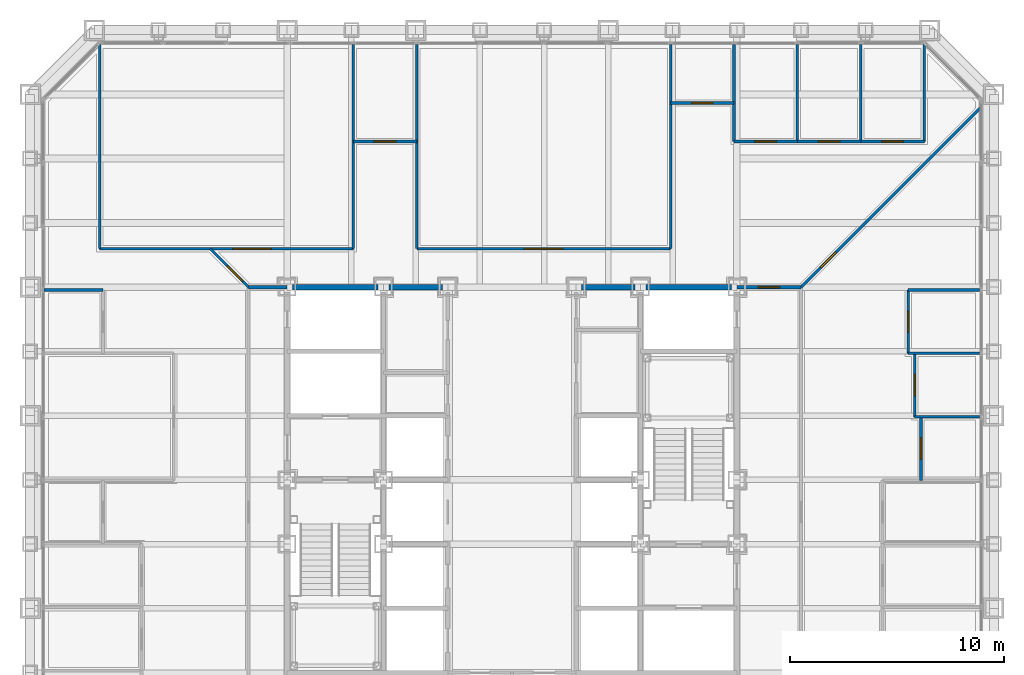
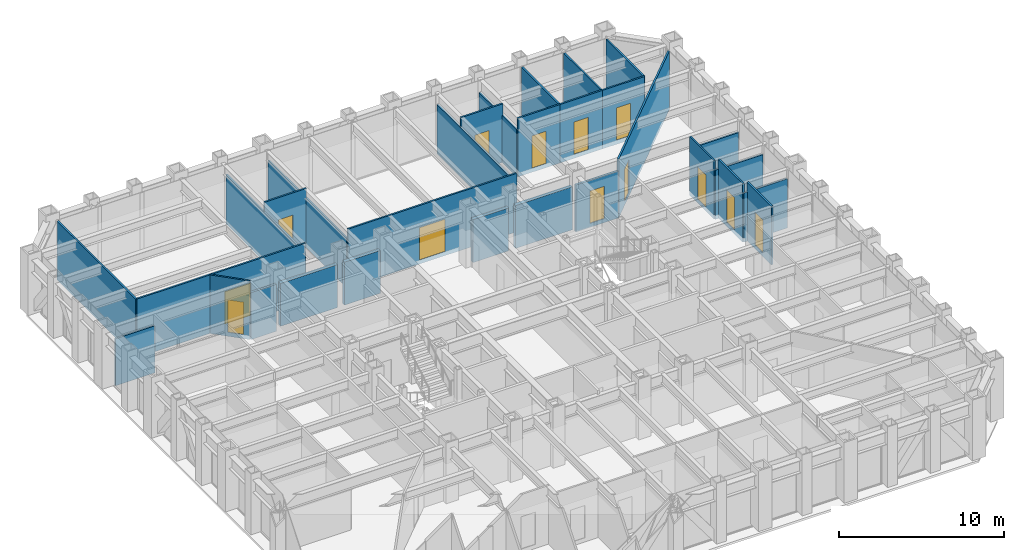
# One storey, part 11 of 16: 30 walls, 13 doors, 13 openings.
"""IFC4 building model written with IfcOpenShell, lengths in metres."""

import ifcopenshell
import ifcopenshell.guid

model = None  # the IFC model being written
_history = None  # IfcOwnerHistory: only IFC2X3 demands one
_inside = {}  # id of a spatial element -> (the spatial element, [elements in it])
_under = {}  # id of a project, library or spatial element -> (it, [spatial elements below it])
_declared = {}  # id of a project -> (the project, [libraries it declares])
_typed = {}  # id of a type object -> (the type object, [elements of that type])
_made_of = {}  # id of a material, layer set ... -> (it, [elements and type objects made of it])


def new_model(schema):
    """Start an empty IFC model of exactly this schema.

    Asked for "IFC4X3", IfcOpenShell would pick the latest addendum, in which some entities
    have other attributes; the version numbers below select the first issue.
    IFC2X3 requires an IfcOwnerHistory on every rooted entity: one is made here for all.
    """
    global model, _history
    if schema == "IFC4X3":
        model = ifcopenshell.file(schema_version=(4, 3, 0, 0))
    else:
        model = ifcopenshell.file(schema=schema)
    _inside.clear()
    _under.clear()
    _declared.clear()
    _typed.clear()
    _made_of.clear()
    _history = None
    if model.schema == "IFC2X3":
        org = make("IfcOrganization", Name="unknown")
        user = make(
            "IfcPersonAndOrganization",
            ThePerson=make("IfcPerson", FamilyName="unknown"),
            TheOrganization=org,
        )
        app = make(
            "IfcApplication",
            ApplicationDeveloper=org,
            Version="unknown",
            ApplicationFullName="unknown",
            ApplicationIdentifier="unknown",
        )
        _history = make(
            "IfcOwnerHistory",
            OwningUser=user,
            OwningApplication=app,
            ChangeAction="ADDED",
            CreationDate=0,
        )
    return model


def make(cls, **values):
    """One entity of the class cls with the attributes given. An attribute that is None is left unset."""
    return model.create_entity(
        cls, **{name: value for name, value in values.items() if value is not None}
    )


def rooted(cls, **values):
    """An entity with a GlobalId (a new one), such as an element, a storey or a relation."""
    return make(cls, GlobalId=ifcopenshell.guid.new(), OwnerHistory=_history, **values)


def si_unit(unit_type, name, prefix=None):
    """IfcSIUnit, for example si_unit("LENGTHUNIT", "METRE", prefix="MILLI")."""
    return make("IfcSIUnit", UnitType=unit_type, Prefix=prefix, Name=name)


def assignment(units):
    """IfcUnitAssignment: the units of a project."""
    return None if units is None else make("IfcUnitAssignment", Units=units)


def point(xyz):
    """IfcCartesianPoint."""
    return None if xyz is None else make("IfcCartesianPoint", Coordinates=xyz)


def direction(xyz):
    """IfcDirection."""
    return None if xyz is None else make("IfcDirection", DirectionRatios=xyz)


def frame(location, z_axis=None, x_axis=None):
    """IfcAxis2Placement3D, a coordinate frame: its origin and axes. An axis left out is left unset."""
    return make(
        "IfcAxis2Placement3D",
        Location=point(location),
        Axis=direction(z_axis),
        RefDirection=direction(x_axis),
    )


def frame_2d(location, x_axis=None):
    """IfcAxis2Placement2D, a coordinate frame in the plane: its origin and x axis."""
    return make(
        "IfcAxis2Placement2D", Location=point(location), RefDirection=direction(x_axis)
    )


def origin():
    """The frame at (0, 0, 0) with its axes left unset."""
    return frame((0.0, 0.0, 0.0))


def place(relative_to, where):
    """IfcLocalPlacement: puts the frame where relative to a parent placement (None: the world)."""
    return make(
        "IfcLocalPlacement", PlacementRelTo=relative_to, RelativePlacement=where
    )


def context(
    kind, dimensions, precision=None, world=None, true_north=None, identifier=None
):
    """IfcGeometricRepresentationContext, for example the 3D "Model" context."""
    return make(
        "IfcGeometricRepresentationContext",
        ContextIdentifier=identifier,
        ContextType=kind,
        CoordinateSpaceDimension=dimensions,
        Precision=precision,
        WorldCoordinateSystem=world,
        TrueNorth=true_north,
    )


def subcontext(parent, identifier, kind, view, scale=None):
    """IfcGeometricRepresentationSubContext, for example "Body" below "Model"."""
    return make(
        "IfcGeometricRepresentationSubContext",
        ContextIdentifier=identifier,
        ContextType=kind,
        ParentContext=parent,
        TargetScale=scale,
        TargetView=view,
    )


def project(units=None, contexts=None):
    """IfcProject with its units and contexts."""
    return rooted(
        "IfcProject",
        Name="project",
        RepresentationContexts=contexts,
        UnitsInContext=assignment(units),
    )


def spatial(cls, under=None, at=None, **own):
    """A site, building, storey or space (cls), placed at a placement, below another one or the project."""
    s = rooted(cls, ObjectPlacement=at, **own)
    if under is not None:
        _under.setdefault(under.id(), (under, []))[1].append(s)
    return s


def profile(cls, at=None, kind="AREA", **sizes):
    """A parametric profile (cls). Its sizes go by their IFC names, for example OverallWidth=200.0."""
    return make(cls, ProfileType=kind, Position=at, **sizes)


def rectangle(**sizes):
    """IfcRectangleProfileDef."""
    return profile("IfcRectangleProfileDef", **sizes)


def extrude(swept, where, along, depth):
    """IfcExtrudedAreaSolid: the profile swept, set in the frame where, extruded along a direction by depth."""
    return make(
        "IfcExtrudedAreaSolid",
        SweptArea=swept,
        Position=where,
        ExtrudedDirection=direction(along),
        Depth=depth,
    )


def shape(context_of_items, identifier, shape_type, items):
    """IfcShapeRepresentation: the items that make up one representation, for example the "Body"."""
    return make(
        "IfcShapeRepresentation",
        ContextOfItems=context_of_items,
        RepresentationIdentifier=identifier,
        RepresentationType=shape_type,
        Items=items,
    )


def material(Name=None, Category=None):
    """IfcMaterial."""
    return make("IfcMaterial", Name=Name, Category=Category)


def layer(
    of_material, thickness, ventilated=None, Name=None, Category=None, Priority=None
):
    """IfcMaterialLayer: one layer of a wall or slab, of a material (None: an air gap)."""
    return make(
        "IfcMaterialLayer",
        Material=of_material,
        LayerThickness=thickness,
        IsVentilated=ventilated,
        Name=Name,
        Category=Category,
        Priority=Priority,
    )


def layer_set(layers, Name=None):
    """IfcMaterialLayerSet."""
    return make("IfcMaterialLayerSet", MaterialLayers=layers, LayerSetName=Name)


def made_of(thing, what):
    """Note that an element or type object is made of a material, layer set ...; save() writes the relation."""
    if what is not None:
        _made_of.setdefault(what.id(), (what, []))[1].append(thing)
    return thing


def type_object(cls, material=None, **own):
    """A type object (cls), such as IfcWallType, which elements share."""
    return made_of(rooted(cls, **own), material)


def element(
    cls,
    number,
    at=None,
    inside=None,
    cuts=None,
    type_object=None,
    material=None,
    context=None,
    identifier="Body",
    shape_type=None,
    held_by="IfcProductDefinitionShape",
    body=None,
    shapes=None,
    **own,
):
    """One element of the class cls, such as IfcWall. Its Tag is "e" and its number.

    at: its placement. inside: the storey or other place that contains it. cuts: it is an
    opening in that element (IfcRelVoidsElement). A single representation is given by context,
    identifier, shape_type and body (its items); several are given by shapes. held_by: the class
    of the entity that holds the representations. save() writes the other relations.
    """
    e = rooted(cls, Tag="e%d" % number, ObjectPlacement=at, **own)
    if body is not None:
        shapes = [shape(context, identifier, shape_type, body)]
    if shapes is not None:
        e.Representation = make(held_by, Representations=shapes)
    if inside is not None:
        _inside.setdefault(inside.id(), (inside, []))[1].append(e)
    if cuts is not None:
        rooted(
            "IfcRelVoidsElement", RelatingBuildingElement=cuts, RelatedOpeningElement=e
        )
    if type_object is not None:
        _typed.setdefault(type_object.id(), (type_object, []))[1].append(e)
    return made_of(e, material)


def fill(opening, filler):
    """IfcRelFillsElement: the door or window that sits in an opening."""
    return rooted(
        "IfcRelFillsElement",
        RelatingOpeningElement=opening,
        RelatedBuildingElement=filler,
    )


def aggregate(whole, parts):
    """IfcRelAggregates: a whole, such as a stair, and the parts it consists of."""
    return rooted("IfcRelAggregates", RelatingObject=whole, RelatedObjects=parts)


def save(model, path):
    """Write the relations noted so far, then the file.

    IfcRelAggregates (storeys below a building ...), IfcRelContainedInSpatialStructure (elements
    in a storey), IfcRelDefinesByType, IfcRelAssociatesMaterial and IfcRelDeclares: one each for
    every whole, place, type object, material and project.
    """
    for whole, parts in _under.values():
        aggregate(whole, parts)
    for where, things in _inside.values():
        rooted(
            "IfcRelContainedInSpatialStructure",
            RelatedElements=things,
            RelatingStructure=where,
        )
    for kind, things in _typed.values():
        rooted("IfcRelDefinesByType", RelatedObjects=things, RelatingType=kind)
    for what, things in _made_of.values():
        rooted("IfcRelAssociatesMaterial", RelatedObjects=things, RelatingMaterial=what)
    for by, libraries in _declared.values():
        rooted("IfcRelDeclares", RelatingContext=by, RelatedDefinitions=libraries)
    model.write(path)


model = new_model("IFC4")

# Units and contexts
model_context = context("Model", 3, precision=1e-05, world=origin(), true_north=direction((0.0, 1.0)))
body_context = subcontext(model_context, "Body", "Model", "MODEL_VIEW")
ifc_project = project(units=[si_unit("LENGTHUNIT", "METRE"), si_unit("AREAUNIT", "SQUARE_METRE"), si_unit("VOLUMEUNIT", "CUBIC_METRE"), si_unit("PLANEANGLEUNIT", "RADIAN"), si_unit("MASSUNIT", "GRAM", prefix="KILO")], contexts=[model_context])

# Site, building, storey
site_placement = place(None, origin())
site = spatial("IfcSite", under=ifc_project, at=site_placement, CompositionType="ELEMENT")
building_placement = place(site_placement, origin())
building = spatial("IfcBuilding", under=site, at=building_placement, Name="Chuquiago Exchange Tower", CompositionType="ELEMENT")
storey_placement = place(building_placement, frame((0.0, 0.0, 33.300048828125)))
storey = spatial("IfcBuildingStorey", under=building, at=storey_placement, Name="L06", CompositionType="ELEMENT", Elevation=33.300048828125)

# Walls
ifc_material_1 = material(Name="Concrete masonry, fully grouted", Category="masonry")
ifc_layer_1 = layer(ifc_material_1, 0.25)
ifc_layer_set_1 = layer_set([ifc_layer_1], Name="W1 core wall 250")
wall_type_1 = type_object("IfcWallType", Name="W1 core wall 250", PredefinedType="SOLIDWALL", material=ifc_layer_set_1)
wall_1_placement = place(storey_placement, frame((12.25, 33.0, 0.0), z_axis=(0.0, 0.0, 1.0), x_axis=(1.0, 0.0, 0.0)))
element("IfcWall", 1, at=wall_1_placement, inside=storey, type_object=wall_type_1, Name="CW-L06-11-0", PredefinedType="SOLIDWALL", context=body_context, shape_type="SweptSolid", body=[
    extrude(rectangle(XDim=4.0, YDim=0.25, at=frame_2d((2.0, 0.0))), origin(), (0.0, 0.0, 1.0), 3.181396484375),
])
for number, where, z_axis, x_axis, name in (
    (2, (16.75, 33.0, 0.0), (0.0, 0.0, 1.0), (1.0, 0.0, 0.0), "CW-L06-11-1"),
    (3, (25.75, 33.0, 0.0), (0.0, 0.0, 1.0), (1.0, 0.0, 0.0), "CW-L06-12-0"),
):
    element("IfcWall", number, at=place(storey_placement, frame(where, z_axis=z_axis, x_axis=x_axis)), inside=storey, type_object=wall_type_1, Name=name, PredefinedType="SOLIDWALL", context=body_context, shape_type="SweptSolid", body=[
        extrude(rectangle(XDim=2.5, YDim=0.25, at=frame_2d((1.25, 0.0))), origin(), (0.0, 0.0, 1.0), 3.181396484375),
    ])
wall_2_placement = place(storey_placement, frame((28.75, 33.0, 0.0), z_axis=(0.0, 0.0, 1.0), x_axis=(1.0, 0.0, 0.0)))
element("IfcWall", 4, at=wall_2_placement, inside=storey, type_object=wall_type_1, Name="CW-L06-12-1", PredefinedType="SOLIDWALL", context=body_context, shape_type="SweptSolid", body=[
    extrude(rectangle(XDim=4.0, YDim=0.25, at=frame_2d((2.0, 0.0))), origin(), (0.0, 0.0, 1.0), 3.181396484375),
])
ifc_material_2 = material(Name="Gypsum board on steel studs, acoustic insulation", Category="steel")
ifc_layer_2 = layer(ifc_material_2, 0.14990234375)
ifc_layer_set_2 = layer_set([ifc_layer_2], Name="W11 corridor wall 150")
wall_type_2 = type_object("IfcWallType", Name="W11 corridor wall 150", PredefinedType="PARTITIONING", material=ifc_layer_set_2)
wall_3_placement = place(storey_placement, frame((10.199951171875, 33.0, -0.300048828125), z_axis=(0.0, 0.0, 1.0), x_axis=(1.0, 0.0, 0.0)))
element("IfcWall", 5, at=wall_3_placement, inside=storey, type_object=wall_type_2, Name="PW-L06-GWN0", PredefinedType="PARTITIONING", context=body_context, shape_type="SweptSolid", body=[
    extrude(rectangle(XDim=1.800048828125, YDim=0.14990234375, at=frame_2d((0.89990234375, 0.0))), origin(), (0.0, 0.0, 1.0), 3.4814453125),
])

# Wall, opening, door
wall_4_placement = place(storey_placement, frame((33.0, 33.0, -0.300048828125), z_axis=(0.0, 0.0, 1.0), x_axis=(1.0, 0.0, 0.0)))
wall_4 = element("IfcWall", 6, at=wall_4_placement, inside=storey, type_object=wall_type_2, Name="PW-L06-GEN0", PredefinedType="PARTITIONING", context=body_context, shape_type="SweptSolid", body=[
    extrude(rectangle(XDim=3.0, YDim=0.14990234375, at=frame_2d((1.5, 0.0))), origin(), (0.0, 0.0, 1.0), 3.4814453125),
])
opening_1_placement = place(wall_4_placement, frame((1.0, 0.0, 0.300048828125)))
opening_1 = element("IfcOpeningElement", 7, at=opening_1_placement, cuts=wall_4, Name="Opening L06-054", PredefinedType="OPENING", context=body_context, shape_type="SweptSolid", body=[
    extrude(rectangle(XDim=1.0, YDim=2.39990234375, at=frame_2d((0.5, 1.199951171875))), frame((0.0, 0.0849609375, 0.0), z_axis=(0.0, -1.0, 0.0), x_axis=(1.0, 0.0, 0.0)), (0.0, 0.0, 1.0), 0.169921875),
])
ifc_material_3 = material(Name="Timber door, laminate faced", Category="wood")
door_type_1 = type_object("IfcDoorType", Name="D9 room door 1000x2400", OperationType="SINGLE_SWING_LEFT", PredefinedType="DOOR", material=ifc_material_3)
door_1_placement = place(opening_1_placement, origin())
door_1 = element("IfcDoor", 8, at=door_1_placement, inside=storey, type_object=door_type_1, Name="Team area door", OperationType="SINGLE_SWING_LEFT", OverallHeight=2.39990234375, OverallWidth=1.0, PredefinedType="DOOR", context=body_context, shape_type="SweptSolid", body=[
    extrude(rectangle(XDim=1.0, YDim=2.39990234375, at=frame_2d((0.5, 1.199951171875))), frame((0.0, 0.02490234375, 0.0), z_axis=(0.0, -1.0, 0.0), x_axis=(1.0, 0.0, 0.0)), (0.0, 0.0, 1.0), 0.050048828125),
])
fill(opening_1, door_1)

# Walls
ifc_material_4 = material(Name="Gypsum board on steel studs", Category="steel")
ifc_layer_3 = layer(ifc_material_4, 0.1201171875)
ifc_layer_set_3 = layer_set([ifc_layer_3], Name="W4 partition 120")
wall_type_3 = type_object("IfcWallType", Name="W4 partition 120", PredefinedType="PARTITIONING", material=ifc_layer_set_3)
wall_5_placement = place(storey_placement, frame((44.342529296875, 26.942626953125, -0.300048828125), z_axis=(0.0, 0.0, 1.0), x_axis=(-1.0, 0.0, 0.0)))
element("IfcWall", 9, at=wall_5_placement, inside=storey, type_object=wall_type_3, Name="PW-L06-E02694", PredefinedType="PARTITIONING", context=body_context, shape_type="SweptSolid", body=[
    extrude(rectangle(XDim=3.04248046875, YDim=0.1201171875, at=frame_2d((1.521240234375, 0.0))), origin(), (0.0, 0.0, 1.0), 3.646484375),
])
wall_6_placement = place(storey_placement, frame((44.342529296875, 29.904296875, -0.300048828125), z_axis=(0.0, 0.0, 1.0), x_axis=(-1.0, 0.0, 0.0)))
element("IfcWall", 10, at=wall_6_placement, inside=storey, type_object=wall_type_3, Name="PW-L06-E02990", PredefinedType="PARTITIONING", context=body_context, shape_type="SweptSolid", body=[
    extrude(rectangle(XDim=3.342529296875, YDim=0.1201171875, at=frame_2d((1.67138671875, 0.0))), origin(), (0.0, 0.0, 1.0), 3.646484375),
])
wall_7_placement = place(storey_placement, frame((44.342529296875, 32.8662109375, -0.300048828125), z_axis=(0.0, 0.0, 1.0), x_axis=(-1.0, 0.0, 0.0)))
element("IfcWall", 11, at=wall_7_placement, inside=storey, type_object=wall_type_3, Name="PW-L06-E03287", PredefinedType="PARTITIONING", context=body_context, shape_type="SweptSolid", body=[
    extrude(rectangle(XDim=3.342529296875, YDim=0.1201171875, at=frame_2d((1.67138671875, 0.0))), origin(), (0.0, 0.0, 1.0), 3.4814453125),
])

# Wall, opening, door
wall_8_placement = place(storey_placement, frame((41.60009765625, 23.98095703125, -0.300048828125), z_axis=(0.0, 0.0, 1.0), x_axis=(0.0, 1.0, 0.0)))
wall_8 = element("IfcWall", 12, at=wall_8_placement, inside=storey, type_object=wall_type_3, Name="PW-L06-EF02398", PredefinedType="PARTITIONING", context=body_context, shape_type="SweptSolid", body=[
    extrude(rectangle(XDim=2.961669921875, YDim=0.1201171875, at=frame_2d((1.48095703125, 0.0))), origin(), (0.0, 0.0, 1.0), 4.340087890625),
])
opening_2_placement = place(wall_8_placement, frame((0.98095703125, 0.0, 0.300048828125)))
opening_2 = element("IfcOpeningElement", 13, at=opening_2_placement, cuts=wall_8, Name="Opening L06-036", PredefinedType="OPENING", context=body_context, shape_type="SweptSolid", body=[
    extrude(rectangle(XDim=1.0, YDim=2.39990234375, at=frame_2d((0.5, 1.199951171875))), frame((0.0, 0.070068359375, 0.0), z_axis=(0.0, -1.0, 0.0), x_axis=(1.0, 0.0, 0.0)), (0.0, 0.0, 1.0), 0.14013671875),
])
ifc_material_5 = material(Name="Timber frame door, full height glazed panel", Category="wood")
door_type_2 = type_object("IfcDoorType", Name="D14 glazed meeting room door 1000x2400", OperationType="SINGLE_SWING_LEFT", PredefinedType="DOOR", material=ifc_material_5)
door_2_placement = place(opening_2_placement, frame((1.0, 0.0, 0.0), z_axis=(0.0, 0.0, 1.0), x_axis=(-1.0, 0.0, 0.0)))
door_2 = element("IfcDoor", 14, at=door_2_placement, inside=storey, type_object=door_type_2, Name="Focus room door", OperationType="SINGLE_SWING_LEFT", OverallHeight=2.39990234375, OverallWidth=1.0, PredefinedType="DOOR", context=body_context, shape_type="SweptSolid", body=[
    extrude(rectangle(XDim=1.0, YDim=2.39990234375, at=frame_2d((0.5, 1.199951171875))), frame((0.0, 0.02490234375, 0.0), z_axis=(0.0, -1.0, 0.0), x_axis=(1.0, 0.0, 0.0)), (0.0, 0.0, 1.0), 0.050048828125),
])
fill(opening_2, door_2)

wall_9_placement = place(storey_placement, frame((41.300048828125, 26.942626953125, -0.300048828125), z_axis=(0.0, 0.0, 1.0), x_axis=(0.0, 1.0, 0.0)))
wall_9 = element("IfcWall", 15, at=wall_9_placement, inside=storey, type_object=wall_type_3, Name="PW-L06-EF02694", PredefinedType="PARTITIONING", context=body_context, shape_type="SweptSolid", body=[
    extrude(rectangle(XDim=2.961669921875, YDim=0.1201171875, at=frame_2d((1.48095703125, 0.0))), origin(), (0.0, 0.0, 1.0), 4.340087890625),
])
opening_3_placement = place(wall_9_placement, frame((0.98095703125, 0.0, 0.300048828125)))
opening_3 = element("IfcOpeningElement", 16, at=opening_3_placement, cuts=wall_9, Name="Opening L06-037", PredefinedType="OPENING", context=body_context, shape_type="SweptSolid", body=[
    extrude(rectangle(XDim=1.0, YDim=2.39990234375, at=frame_2d((0.5, 1.199951171875))), frame((0.0, 0.070068359375, 0.0), z_axis=(0.0, -1.0, 0.0), x_axis=(1.0, 0.0, 0.0)), (0.0, 0.0, 1.0), 0.14013671875),
])
door_3_placement = place(opening_3_placement, frame((1.0, 0.0, 0.0), z_axis=(0.0, 0.0, 1.0), x_axis=(-1.0, 0.0, 0.0)))
door_3 = element("IfcDoor", 17, at=door_3_placement, inside=storey, type_object=door_type_1, Name="Store door", OperationType="SINGLE_SWING_RIGHT", OverallHeight=2.39990234375, OverallWidth=1.0, PredefinedType="DOOR", context=body_context, shape_type="SweptSolid", body=[
    extrude(rectangle(XDim=1.0, YDim=2.39990234375, at=frame_2d((0.5, 1.199951171875))), frame((0.0, 0.02490234375, 0.0), z_axis=(0.0, -1.0, 0.0), x_axis=(1.0, 0.0, 0.0)), (0.0, 0.0, 1.0), 0.050048828125),
])
fill(opening_3, door_3)

wall_10_placement = place(storey_placement, frame((41.0, 29.904296875, -0.300048828125), z_axis=(0.0, 0.0, 1.0), x_axis=(0.0, 1.0, 0.0)))
wall_10 = element("IfcWall", 18, at=wall_10_placement, inside=storey, type_object=wall_type_3, Name="PW-L06-EF02990", PredefinedType="PARTITIONING", context=body_context, shape_type="SweptSolid", body=[
    extrude(rectangle(XDim=2.9619140625, YDim=0.1201171875, at=frame_2d((1.48095703125, 0.0))), origin(), (0.0, 0.0, 1.0), 4.340087890625),
])
opening_4_placement = place(wall_10_placement, frame((0.98095703125, 0.0, 0.300048828125)))
opening_4 = element("IfcOpeningElement", 19, at=opening_4_placement, cuts=wall_10, Name="Opening L06-038", PredefinedType="OPENING", context=body_context, shape_type="SweptSolid", body=[
    extrude(rectangle(XDim=1.0, YDim=2.39990234375, at=frame_2d((0.5, 1.199951171875))), frame((0.0, 0.070068359375, 0.0), z_axis=(0.0, -1.0, 0.0), x_axis=(1.0, 0.0, 0.0)), (0.0, 0.0, 1.0), 0.14013671875),
])
door_4_placement = place(opening_4_placement, frame((1.0, 0.0, 0.0), z_axis=(0.0, 0.0, 1.0), x_axis=(-1.0, 0.0, 0.0)))
door_4 = element("IfcDoor", 20, at=door_4_placement, inside=storey, type_object=door_type_1, Name="Pantry door", OperationType="SINGLE_SWING_RIGHT", OverallHeight=2.39990234375, OverallWidth=1.0, PredefinedType="DOOR", context=body_context, shape_type="SweptSolid", body=[
    extrude(rectangle(XDim=1.0, YDim=2.39990234375, at=frame_2d((0.5, 1.199951171875))), frame((0.0, 0.02490234375, 0.0), z_axis=(0.0, -1.0, 0.0), x_axis=(1.0, 0.0, 0.0)), (0.0, 0.0, 1.0), 0.050048828125),
])
fill(opening_4, door_4)

# Walls
wall_11_placement = place(storey_placement, frame((3.24853515625, 44.333984375, -0.300048828125), z_axis=(0.0, 0.0, 1.0), x_axis=(0.0, -1.0, 0.0)))
element("IfcWall", 21, at=wall_11_placement, inside=storey, type_object=wall_type_3, Name="PW-L06-N00325", PredefinedType="PARTITIONING", context=body_context, shape_type="SweptSolid", body=[
    extrude(rectangle(XDim=9.533935546875, YDim=0.1201171875, at=frame_2d((4.76708984375, 0.0))), origin(), (0.0, 0.0, 1.0), 4.340087890625),
])
for number, where, z_axis, x_axis, name in (
    (22, (15.095703125, 44.342529296875, -0.300048828125), (0.0, 0.0, 1.0), (0.0, -1.0, 0.0), "PW-L06-N01510"),
    (23, (18.057373046875, 44.342529296875, -0.300048828125), (0.0, 0.0, 1.0), (0.0, -1.0, 0.0), "PW-L06-N01806"),
    (24, (29.904296875, 44.342529296875, -0.300048828125), (0.0, 0.0, 1.0), (0.0, -1.0, 0.0), "PW-L06-N02990"),
):
    element("IfcWall", number, at=place(storey_placement, frame(where, z_axis=z_axis, x_axis=x_axis)), inside=storey, type_object=wall_type_3, Name=name, PredefinedType="PARTITIONING", context=body_context, shape_type="SweptSolid", body=[
        extrude(rectangle(XDim=9.54248046875, YDim=0.1201171875, at=frame_2d((4.771240234375, 0.0))), origin(), (0.0, 0.0, 1.0), 3.646484375),
    ])
wall_12_placement = place(storey_placement, frame((32.8662109375, 44.342529296875, -0.300048828125), z_axis=(0.0, 0.0, 1.0), x_axis=(0.0, -1.0, 0.0)))
element("IfcWall", 25, at=wall_12_placement, inside=storey, type_object=wall_type_3, Name="PW-L06-N03287", PredefinedType="PARTITIONING", context=body_context, shape_type="SweptSolid", body=[
    extrude(rectangle(XDim=4.54248046875, YDim=0.1201171875, at=frame_2d((2.271240234375, 0.0))), origin(), (0.0, 0.0, 1.0), 3.4814453125),
])
for number, where, z_axis, x_axis, name in (
    (26, (35.827880859375, 44.342529296875, -0.300048828125), (0.0, 0.0, 1.0), (0.0, -1.0, 0.0), "PW-L06-N03583"),
    (27, (38.789794921875, 44.342529296875, -0.300048828125), (0.0, 0.0, 1.0), (0.0, -1.0, 0.0), "PW-L06-N03879"),
):
    element("IfcWall", number, at=place(storey_placement, frame(where, z_axis=z_axis, x_axis=x_axis)), inside=storey, type_object=wall_type_3, Name=name, PredefinedType="PARTITIONING", context=body_context, shape_type="SweptSolid", body=[
        extrude(rectangle(XDim=4.54248046875, YDim=0.1201171875, at=frame_2d((2.271240234375, 0.0))), origin(), (0.0, 0.0, 1.0), 4.340087890625),
    ])
wall_13_placement = place(storey_placement, frame((41.75146484375, 44.333984375, -0.300048828125), z_axis=(0.0, 0.0, 1.0), x_axis=(0.0, -1.0, 0.0)))
element("IfcWall", 28, at=wall_13_placement, inside=storey, type_object=wall_type_3, Name="PW-L06-N04175", PredefinedType="PARTITIONING", context=body_context, shape_type="SweptSolid", body=[
    extrude(rectangle(XDim=4.533935546875, YDim=0.1201171875, at=frame_2d((2.26708984375, 0.0))), origin(), (0.0, 0.0, 1.0), 4.340087890625),
])

# Wall, opening, door
wall_14_placement = place(storey_placement, frame((3.24853515625, 34.800048828125, -0.300048828125), z_axis=(0.0, 0.0, 1.0), x_axis=(1.0, 0.0, 0.0)))
wall_14 = element("IfcWall", 29, at=wall_14_placement, inside=storey, type_object=wall_type_3, Name="PW-L06-NF00325", PredefinedType="PARTITIONING", context=body_context, shape_type="SweptSolid", body=[
    extrude(rectangle(XDim=11.84716796875, YDim=0.1201171875, at=frame_2d((5.923583984375, 0.0))), origin(), (0.0, 0.0, 1.0), 4.340087890625),
])
opening_5_placement = place(wall_14_placement, frame((6.208251953125, 0.0, 0.300048828125)))
opening_5 = element("IfcOpeningElement", 30, at=opening_5_placement, cuts=wall_14, Name="Opening L06-039", PredefinedType="OPENING", context=body_context, shape_type="SweptSolid", body=[
    extrude(rectangle(XDim=1.800048828125, YDim=2.39990234375, at=frame_2d((0.89990234375, 1.199951171875))), frame((0.0, 0.070068359375, 0.0), z_axis=(0.0, -1.0, 0.0), x_axis=(1.0, 0.0, 0.0)), (0.0, 0.0, 1.0), 0.14013671875),
])
ifc_material_6 = material(Name="Timber door pair, laminate faced", Category="wood")
door_type_3 = type_object("IfcDoorType", Name="D15 double room door 1800x2400", OperationType="DOUBLE_DOOR_DOUBLE_SWING", PredefinedType="DOOR", material=ifc_material_6)
door_5_placement = place(opening_5_placement, origin())
door_5 = element("IfcDoor", 31, at=door_5_placement, inside=storey, type_object=door_type_3, Name="Trading room door", OperationType="DOUBLE_DOOR_DOUBLE_SWING", OverallHeight=2.39990234375, OverallWidth=1.800048828125, PredefinedType="DOOR", context=body_context, shape_type="SweptSolid", body=[
    extrude(rectangle(XDim=1.800048828125, YDim=2.39990234375, at=frame_2d((0.89990234375, 1.199951171875))), frame((0.0, 0.02490234375, 0.0), z_axis=(0.0, -1.0, 0.0), x_axis=(1.0, 0.0, 0.0)), (0.0, 0.0, 1.0), 0.050048828125),
])
fill(opening_5, door_5)

wall_15_placement = place(storey_placement, frame((15.095703125, 39.800048828125, -0.300048828125), z_axis=(0.0, 0.0, 1.0), x_axis=(1.0, 0.0, 0.0)))
wall_15 = element("IfcWall", 32, at=wall_15_placement, inside=storey, type_object=wall_type_3, Name="PW-L06-NF01510", PredefinedType="PARTITIONING", context=body_context, shape_type="SweptSolid", body=[
    extrude(rectangle(XDim=2.961669921875, YDim=0.1201171875, at=frame_2d((1.48095703125, 0.0))), origin(), (0.0, 0.0, 1.0), 4.340087890625),
])
opening_6_placement = place(wall_15_placement, frame((0.98095703125, 0.0, 0.300048828125)))
opening_6 = element("IfcOpeningElement", 33, at=opening_6_placement, cuts=wall_15, Name="Opening L06-040", PredefinedType="OPENING", context=body_context, shape_type="SweptSolid", body=[
    extrude(rectangle(XDim=1.0, YDim=2.39990234375, at=frame_2d((0.5, 1.199951171875))), frame((0.0, 0.070068359375, 0.0), z_axis=(0.0, -1.0, 0.0), x_axis=(1.0, 0.0, 0.0)), (0.0, 0.0, 1.0), 0.14013671875),
])
door_6_placement = place(opening_6_placement, origin())
door_6 = element("IfcDoor", 34, at=door_6_placement, inside=storey, type_object=door_type_1, Name="Office door", OperationType="SINGLE_SWING_LEFT", OverallHeight=2.39990234375, OverallWidth=1.0, PredefinedType="DOOR", context=body_context, shape_type="SweptSolid", body=[
    extrude(rectangle(XDim=1.0, YDim=2.39990234375, at=frame_2d((0.5, 1.199951171875))), frame((0.0, 0.02490234375, 0.0), z_axis=(0.0, -1.0, 0.0), x_axis=(1.0, 0.0, 0.0)), (0.0, 0.0, 1.0), 0.050048828125),
])
fill(opening_6, door_6)

wall_16_placement = place(storey_placement, frame((18.057373046875, 34.800048828125, -0.300048828125), z_axis=(0.0, 0.0, 1.0), x_axis=(1.0, 0.0, 0.0)))
wall_16 = element("IfcWall", 35, at=wall_16_placement, inside=storey, type_object=wall_type_3, Name="PW-L06-NF01806", PredefinedType="PARTITIONING", context=body_context, shape_type="SweptSolid", body=[
    extrude(rectangle(XDim=11.846923828125, YDim=0.1201171875, at=frame_2d((5.92333984375, 0.0))), origin(), (0.0, 0.0, 1.0), 4.340087890625),
])
opening_7_placement = place(wall_16_placement, frame((5.0234375, 0.0, 0.300048828125)))
opening_7 = element("IfcOpeningElement", 36, at=opening_7_placement, cuts=wall_16, Name="Opening L06-041", PredefinedType="OPENING", context=body_context, shape_type="SweptSolid", body=[
    extrude(rectangle(XDim=1.800048828125, YDim=2.39990234375, at=frame_2d((0.89990234375, 1.199951171875))), frame((0.0, 0.070068359375, 0.0), z_axis=(0.0, -1.0, 0.0), x_axis=(1.0, 0.0, 0.0)), (0.0, 0.0, 1.0), 0.14013671875),
])
door_7_placement = place(opening_7_placement, origin())
door_7 = element("IfcDoor", 37, at=door_7_placement, inside=storey, type_object=door_type_3, Name="Trading room door", OperationType="DOUBLE_DOOR_DOUBLE_SWING", OverallHeight=2.39990234375, OverallWidth=1.800048828125, PredefinedType="DOOR", context=body_context, shape_type="SweptSolid", body=[
    extrude(rectangle(XDim=1.800048828125, YDim=2.39990234375, at=frame_2d((0.89990234375, 1.199951171875))), frame((0.0, 0.02490234375, 0.0), z_axis=(0.0, -1.0, 0.0), x_axis=(1.0, 0.0, 0.0)), (0.0, 0.0, 1.0), 0.050048828125),
])
fill(opening_7, door_7)

wall_17_placement = place(storey_placement, frame((29.904296875, 41.60009765625, -0.300048828125), z_axis=(0.0, 0.0, 1.0), x_axis=(1.0, 0.0, 0.0)))
wall_17 = element("IfcWall", 38, at=wall_17_placement, inside=storey, type_object=wall_type_3, Name="PW-L06-NF02990", PredefinedType="PARTITIONING", context=body_context, shape_type="SweptSolid", body=[
    extrude(rectangle(XDim=2.9619140625, YDim=0.1201171875, at=frame_2d((1.48095703125, 0.0))), origin(), (0.0, 0.0, 1.0), 4.340087890625),
])
opening_8_placement = place(wall_17_placement, frame((0.98095703125, 0.0, 0.300048828125)))
opening_8 = element("IfcOpeningElement", 39, at=opening_8_placement, cuts=wall_17, Name="Opening L06-042", PredefinedType="OPENING", context=body_context, shape_type="SweptSolid", body=[
    extrude(rectangle(XDim=1.0, YDim=2.39990234375, at=frame_2d((0.5, 1.199951171875))), frame((0.0, 0.070068359375, 0.0), z_axis=(0.0, -1.0, 0.0), x_axis=(1.0, 0.0, 0.0)), (0.0, 0.0, 1.0), 0.14013671875),
])
door_8_placement = place(opening_8_placement, origin())
door_8 = element("IfcDoor", 40, at=door_8_placement, inside=storey, type_object=door_type_2, Name="Focus room door", OperationType="SINGLE_SWING_LEFT", OverallHeight=2.39990234375, OverallWidth=1.0, PredefinedType="DOOR", context=body_context, shape_type="SweptSolid", body=[
    extrude(rectangle(XDim=1.0, YDim=2.39990234375, at=frame_2d((0.5, 1.199951171875))), frame((0.0, 0.02490234375, 0.0), z_axis=(0.0, -1.0, 0.0), x_axis=(1.0, 0.0, 0.0)), (0.0, 0.0, 1.0), 0.050048828125),
])
fill(opening_8, door_8)

wall_18_placement = place(storey_placement, frame((32.8662109375, 39.800048828125, -0.300048828125), z_axis=(0.0, 0.0, 1.0), x_axis=(1.0, 0.0, 0.0)))
wall_18 = element("IfcWall", 41, at=wall_18_placement, inside=storey, type_object=wall_type_3, Name="PW-L06-NF03287", PredefinedType="PARTITIONING", context=body_context, shape_type="SweptSolid", body=[
    extrude(rectangle(XDim=2.961669921875, YDim=0.1201171875, at=frame_2d((1.48095703125, 0.0))), origin(), (0.0, 0.0, 1.0), 4.340087890625),
])
opening_9_placement = place(wall_18_placement, frame((0.98095703125, 0.0, 0.300048828125)))
opening_9 = element("IfcOpeningElement", 42, at=opening_9_placement, cuts=wall_18, Name="Opening L06-043", PredefinedType="OPENING", context=body_context, shape_type="SweptSolid", body=[
    extrude(rectangle(XDim=1.0, YDim=2.39990234375, at=frame_2d((0.5, 1.199951171875))), frame((0.0, 0.070068359375, 0.0), z_axis=(0.0, -1.0, 0.0), x_axis=(1.0, 0.0, 0.0)), (0.0, 0.0, 1.0), 0.14013671875),
])
door_9_placement = place(opening_9_placement, origin())
door_9 = element("IfcDoor", 43, at=door_9_placement, inside=storey, type_object=door_type_1, Name="Office door", OperationType="SINGLE_SWING_RIGHT", OverallHeight=2.39990234375, OverallWidth=1.0, PredefinedType="DOOR", context=body_context, shape_type="SweptSolid", body=[
    extrude(rectangle(XDim=1.0, YDim=2.39990234375, at=frame_2d((0.5, 1.199951171875))), frame((0.0, 0.02490234375, 0.0), z_axis=(0.0, -1.0, 0.0), x_axis=(1.0, 0.0, 0.0)), (0.0, 0.0, 1.0), 0.050048828125),
])
fill(opening_9, door_9)

wall_19_placement = place(storey_placement, frame((35.827880859375, 39.800048828125, -0.300048828125), z_axis=(0.0, 0.0, 1.0), x_axis=(1.0, 0.0, 0.0)))
wall_19 = element("IfcWall", 44, at=wall_19_placement, inside=storey, type_object=wall_type_3, Name="PW-L06-NF03583", PredefinedType="PARTITIONING", context=body_context, shape_type="SweptSolid", body=[
    extrude(rectangle(XDim=2.9619140625, YDim=0.1201171875, at=frame_2d((1.48095703125, 0.0))), origin(), (0.0, 0.0, 1.0), 4.340087890625),
])
opening_10_placement = place(wall_19_placement, frame((0.98095703125, 0.0, 0.300048828125)))
opening_10 = element("IfcOpeningElement", 45, at=opening_10_placement, cuts=wall_19, Name="Opening L06-044", PredefinedType="OPENING", context=body_context, shape_type="SweptSolid", body=[
    extrude(rectangle(XDim=1.0, YDim=2.39990234375, at=frame_2d((0.5, 1.199951171875))), frame((0.0, 0.070068359375, 0.0), z_axis=(0.0, -1.0, 0.0), x_axis=(1.0, 0.0, 0.0)), (0.0, 0.0, 1.0), 0.14013671875),
])
door_10_placement = place(opening_10_placement, origin())
door_10 = element("IfcDoor", 46, at=door_10_placement, inside=storey, type_object=door_type_1, Name="Office door", OperationType="SINGLE_SWING_LEFT", OverallHeight=2.39990234375, OverallWidth=1.0, PredefinedType="DOOR", context=body_context, shape_type="SweptSolid", body=[
    extrude(rectangle(XDim=1.0, YDim=2.39990234375, at=frame_2d((0.5, 1.199951171875))), frame((0.0, 0.02490234375, 0.0), z_axis=(0.0, -1.0, 0.0), x_axis=(1.0, 0.0, 0.0)), (0.0, 0.0, 1.0), 0.050048828125),
])
fill(opening_10, door_10)

wall_20_placement = place(storey_placement, frame((38.789794921875, 39.800048828125, -0.300048828125), z_axis=(0.0, 0.0, 1.0), x_axis=(1.0, 0.0, 0.0)))
wall_20 = element("IfcWall", 47, at=wall_20_placement, inside=storey, type_object=wall_type_3, Name="PW-L06-NF03879", PredefinedType="PARTITIONING", context=body_context, shape_type="SweptSolid", body=[
    extrude(rectangle(XDim=2.961669921875, YDim=0.1201171875, at=frame_2d((1.48095703125, 0.0))), origin(), (0.0, 0.0, 1.0), 4.340087890625),
])
opening_11_placement = place(wall_20_placement, frame((0.98095703125, 0.0, 0.300048828125)))
opening_11 = element("IfcOpeningElement", 48, at=opening_11_placement, cuts=wall_20, Name="Opening L06-045", PredefinedType="OPENING", context=body_context, shape_type="SweptSolid", body=[
    extrude(rectangle(XDim=1.0, YDim=2.39990234375, at=frame_2d((0.5, 1.199951171875))), frame((0.0, 0.070068359375, 0.0), z_axis=(0.0, -1.0, 0.0), x_axis=(1.0, 0.0, 0.0)), (0.0, 0.0, 1.0), 0.14013671875),
])
door_11_placement = place(opening_11_placement, origin())
door_11 = element("IfcDoor", 49, at=door_11_placement, inside=storey, type_object=door_type_2, Name="Meeting room door", OperationType="SINGLE_SWING_RIGHT", OverallHeight=2.39990234375, OverallWidth=1.0, PredefinedType="DOOR", context=body_context, shape_type="SweptSolid", body=[
    extrude(rectangle(XDim=1.0, YDim=2.39990234375, at=frame_2d((0.5, 1.199951171875))), frame((0.0, 0.02490234375, 0.0), z_axis=(0.0, -1.0, 0.0), x_axis=(1.0, 0.0, 0.0)), (0.0, 0.0, 1.0), 0.050048828125),
])
fill(opening_11, door_11)

# Wall
wall_21_placement = place(storey_placement, frame((0.657470703125, 32.8662109375, -0.300048828125), z_axis=(0.0, 0.0, 1.0), x_axis=(1.0, 0.0, 0.0)))
element("IfcWall", 50, at=wall_21_placement, inside=storey, type_object=wall_type_3, Name="PW-L06-W03287", PredefinedType="PARTITIONING", context=body_context, shape_type="SweptSolid", body=[
    extrude(rectangle(XDim=2.742431640625, YDim=0.1201171875, at=frame_2d((1.37109375, 0.0))), origin(), (0.0, 0.0, 1.0), 3.4814453125),
])

# Wall, opening, door
wall_22_placement = place(storey_placement, frame((36.0, 33.0, -0.300048828125), z_axis=(0.0, 0.0, 1.0), x_axis=(0.707106781187, 0.707106781187, 0.0)))
wall_22 = element("IfcWall", 51, at=wall_22_placement, inside=storey, type_object=wall_type_3, Name="PW-L06-QNE", PredefinedType="PARTITIONING", context=body_context, shape_type="SweptSolid", body=[
    extrude(rectangle(XDim=11.84228515625, YDim=0.1201171875, at=frame_2d((5.921142578125, 0.0))), origin(), (0.0, 0.0, 1.0), 4.340087890625),
])
opening_12_placement = place(wall_22_placement, frame((1.300048828125, 0.0, 0.300048828125)))
opening_12 = element("IfcOpeningElement", 52, at=opening_12_placement, cuts=wall_22, Name="Opening L06-056", PredefinedType="OPENING", context=body_context, shape_type="SweptSolid", body=[
    extrude(rectangle(XDim=1.0, YDim=2.39990234375, at=frame_2d((0.5, 1.199951171875))), frame((0.0, 0.070068359375, 0.0), z_axis=(0.0, -1.0, 0.0), x_axis=(1.0, 0.0, 0.0)), (0.0, 0.0, 1.0), 0.14013671875),
])
door_12_placement = place(opening_12_placement, origin())
door_12 = element("IfcDoor", 53, at=door_12_placement, inside=storey, type_object=door_type_1, Name="Team area door", OperationType="SINGLE_SWING_LEFT", OverallHeight=2.39990234375, OverallWidth=1.0, PredefinedType="DOOR", context=body_context, shape_type="SweptSolid", body=[
    extrude(rectangle(XDim=1.0, YDim=2.39990234375, at=frame_2d((0.5, 1.199951171875))), frame((0.0, 0.02490234375, 0.0), z_axis=(0.0, -1.0, 0.0), x_axis=(1.0, 0.0, 0.0)), (0.0, 0.0, 1.0), 0.050048828125),
])
fill(opening_12, door_12)

wall_23_placement = place(storey_placement, frame((10.199951171875, 33.0, -0.300048828125), z_axis=(0.0, 0.0, 1.0), x_axis=(-0.707106781187, 0.707106781187, 0.0)))
wall_23 = element("IfcWall", 54, at=wall_23_placement, inside=storey, type_object=wall_type_3, Name="PW-L06-QNW", PredefinedType="PARTITIONING", context=body_context, shape_type="SweptSolid", body=[
    extrude(rectangle(XDim=2.547119140625, YDim=0.1201171875, at=frame_2d((1.2734375, 0.0))), origin(), (0.0, 0.0, 1.0), 4.340087890625),
])
opening_13_placement = place(wall_23_placement, frame((0.39990234375, 0.0, 0.300048828125)))
opening_13 = element("IfcOpeningElement", 55, at=opening_13_placement, cuts=wall_23, Name="Opening L06-057", PredefinedType="OPENING", context=body_context, shape_type="SweptSolid", body=[
    extrude(rectangle(XDim=1.0, YDim=2.39990234375, at=frame_2d((0.5, 1.199951171875))), frame((0.0, 0.070068359375, 0.0), z_axis=(0.0, -1.0, 0.0), x_axis=(1.0, 0.0, 0.0)), (0.0, 0.0, 1.0), 0.14013671875),
])
door_13_placement = place(opening_13_placement, frame((1.0, 0.0, 0.0), z_axis=(0.0, 0.0, 1.0), x_axis=(-1.0, 0.0, 0.0)))
door_13 = element("IfcDoor", 56, at=door_13_placement, inside=storey, type_object=door_type_1, Name="Team area door", OperationType="SINGLE_SWING_RIGHT", OverallHeight=2.39990234375, OverallWidth=1.0, PredefinedType="DOOR", context=body_context, shape_type="SweptSolid", body=[
    extrude(rectangle(XDim=1.0, YDim=2.39990234375, at=frame_2d((0.5, 1.199951171875))), frame((0.0, 0.02490234375, 0.0), z_axis=(0.0, -1.0, 0.0), x_axis=(1.0, 0.0, 0.0)), (0.0, 0.0, 1.0), 0.050048828125),
])
fill(opening_13, door_13)

save(model, "model.ifc")
